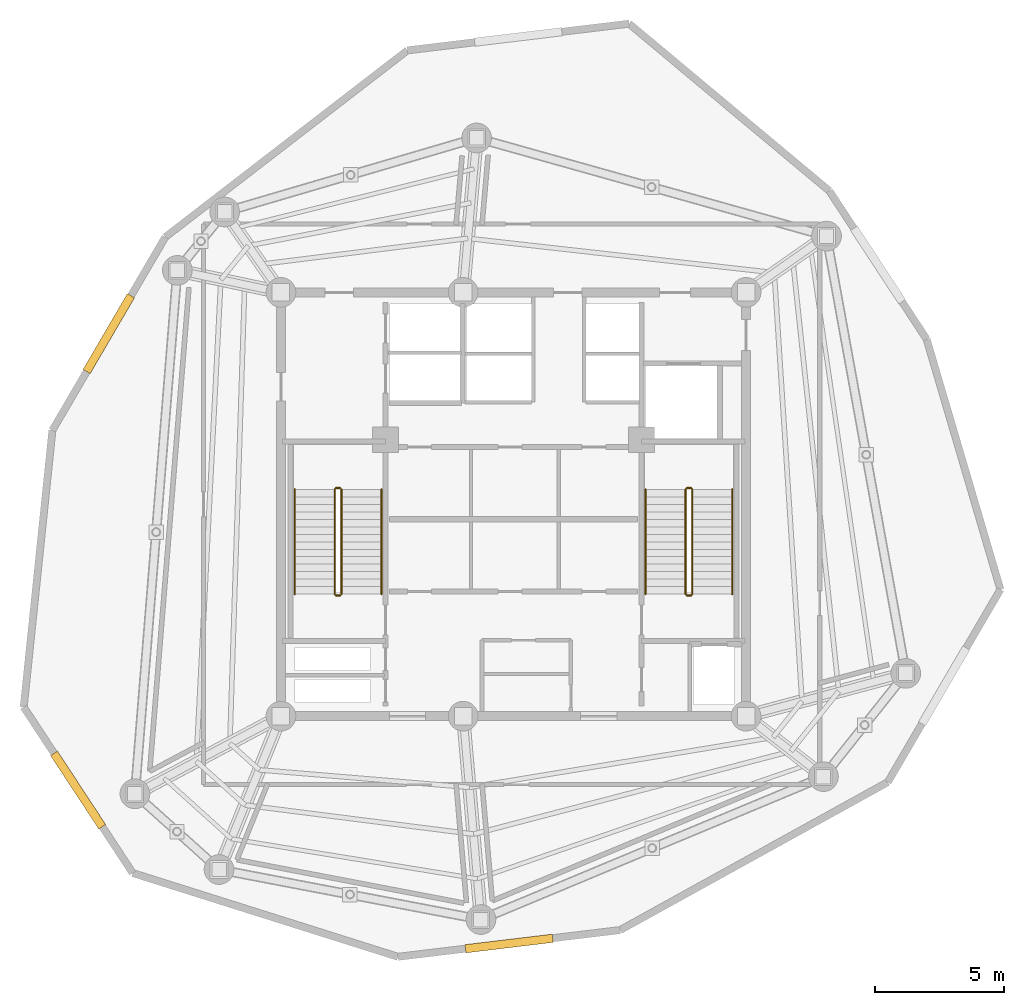
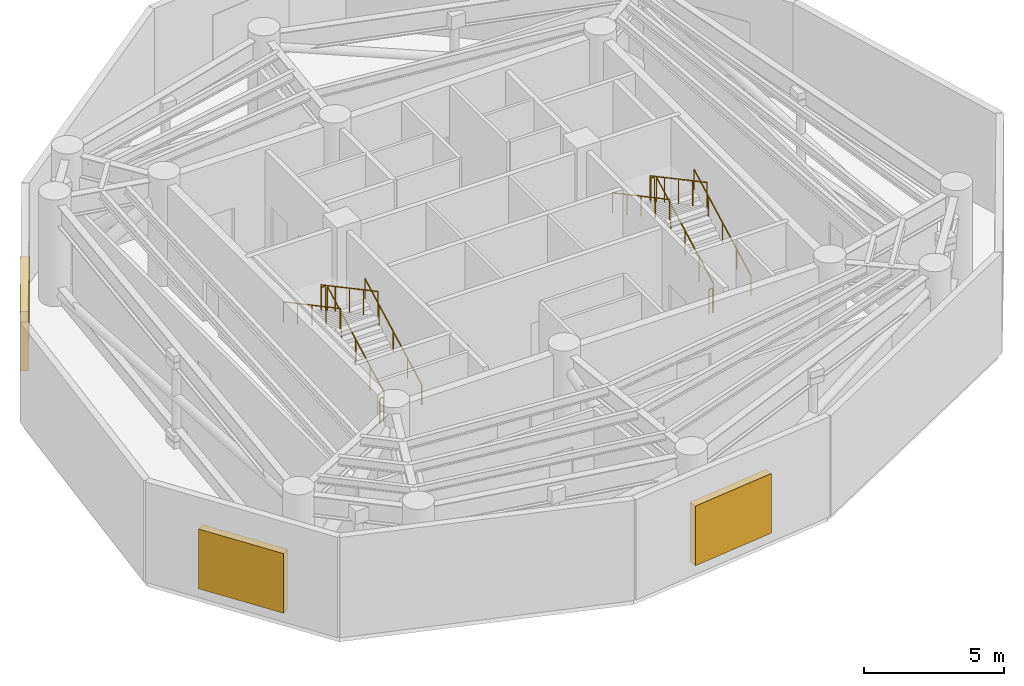
# One storey, part 7 of 8: 12 railings, 3 shading devices.
"""IFC4 building model written with IfcOpenShell, lengths in metres."""

import ifcopenshell
import ifcopenshell.guid

model = None  # the IFC model being written
_history = None  # IfcOwnerHistory: only IFC2X3 demands one
_inside = {}  # id of a spatial element -> (the spatial element, [elements in it])
_under = {}  # id of a project, library or spatial element -> (it, [spatial elements below it])
_declared = {}  # id of a project -> (the project, [libraries it declares])
_typed = {}  # id of a type object -> (the type object, [elements of that type])
_made_of = {}  # id of a material, layer set ... -> (it, [elements and type objects made of it])


def new_model(schema):
    """Start an empty IFC model of exactly this schema.

    Asked for "IFC4X3", IfcOpenShell would pick the latest addendum, in which some entities
    have other attributes; the version numbers below select the first issue.
    IFC2X3 requires an IfcOwnerHistory on every rooted entity: one is made here for all.
    """
    global model, _history
    if schema == "IFC4X3":
        model = ifcopenshell.file(schema_version=(4, 3, 0, 0))
    else:
        model = ifcopenshell.file(schema=schema)
    _inside.clear()
    _under.clear()
    _declared.clear()
    _typed.clear()
    _made_of.clear()
    _history = None
    if model.schema == "IFC2X3":
        org = make("IfcOrganization", Name="unknown")
        user = make(
            "IfcPersonAndOrganization",
            ThePerson=make("IfcPerson", FamilyName="unknown"),
            TheOrganization=org,
        )
        app = make(
            "IfcApplication",
            ApplicationDeveloper=org,
            Version="unknown",
            ApplicationFullName="unknown",
            ApplicationIdentifier="unknown",
        )
        _history = make(
            "IfcOwnerHistory",
            OwningUser=user,
            OwningApplication=app,
            ChangeAction="ADDED",
            CreationDate=0,
        )
    return model


def make(cls, **values):
    """One entity of the class cls with the attributes given. An attribute that is None is left unset."""
    return model.create_entity(
        cls, **{name: value for name, value in values.items() if value is not None}
    )


def rooted(cls, **values):
    """An entity with a GlobalId (a new one), such as an element, a storey or a relation."""
    return make(cls, GlobalId=ifcopenshell.guid.new(), OwnerHistory=_history, **values)


def si_unit(unit_type, name, prefix=None):
    """IfcSIUnit, for example si_unit("LENGTHUNIT", "METRE", prefix="MILLI")."""
    return make("IfcSIUnit", UnitType=unit_type, Prefix=prefix, Name=name)


def assignment(units):
    """IfcUnitAssignment: the units of a project."""
    return None if units is None else make("IfcUnitAssignment", Units=units)


def point(xyz):
    """IfcCartesianPoint."""
    return None if xyz is None else make("IfcCartesianPoint", Coordinates=xyz)


def direction(xyz):
    """IfcDirection."""
    return None if xyz is None else make("IfcDirection", DirectionRatios=xyz)


def frame(location, z_axis=None, x_axis=None):
    """IfcAxis2Placement3D, a coordinate frame: its origin and axes. An axis left out is left unset."""
    return make(
        "IfcAxis2Placement3D",
        Location=point(location),
        Axis=direction(z_axis),
        RefDirection=direction(x_axis),
    )


def frame_2d(location, x_axis=None):
    """IfcAxis2Placement2D, a coordinate frame in the plane: its origin and x axis."""
    return make(
        "IfcAxis2Placement2D", Location=point(location), RefDirection=direction(x_axis)
    )


def origin():
    """The frame at (0, 0, 0) with its axes left unset."""
    return frame((0.0, 0.0, 0.0))


def origin_with_axes():
    """The frame at (0, 0, 0) with the z axis (0, 0, 1) and the x axis (1, 0, 0) written out."""
    return frame((0.0, 0.0, 0.0), z_axis=(0.0, 0.0, 1.0), x_axis=(1.0, 0.0, 0.0))


def origin_2d():
    """The frame at (0, 0) in the plane with its x axis left unset."""
    return frame_2d((0.0, 0.0))


def place(relative_to, where):
    """IfcLocalPlacement: puts the frame where relative to a parent placement (None: the world)."""
    return make(
        "IfcLocalPlacement", PlacementRelTo=relative_to, RelativePlacement=where
    )


def context(
    kind, dimensions, precision=None, world=None, true_north=None, identifier=None
):
    """IfcGeometricRepresentationContext, for example the 3D "Model" context."""
    return make(
        "IfcGeometricRepresentationContext",
        ContextIdentifier=identifier,
        ContextType=kind,
        CoordinateSpaceDimension=dimensions,
        Precision=precision,
        WorldCoordinateSystem=world,
        TrueNorth=true_north,
    )


def subcontext(parent, identifier, kind, view, scale=None):
    """IfcGeometricRepresentationSubContext, for example "Body" below "Model"."""
    return make(
        "IfcGeometricRepresentationSubContext",
        ContextIdentifier=identifier,
        ContextType=kind,
        ParentContext=parent,
        TargetScale=scale,
        TargetView=view,
    )


def project(units=None, contexts=None):
    """IfcProject with its units and contexts."""
    return rooted(
        "IfcProject",
        Name="project",
        RepresentationContexts=contexts,
        UnitsInContext=assignment(units),
    )


def spatial(cls, under=None, at=None, **own):
    """A site, building, storey or space (cls), placed at a placement, below another one or the project."""
    s = rooted(cls, ObjectPlacement=at, **own)
    if under is not None:
        _under.setdefault(under.id(), (under, []))[1].append(s)
    return s


def profile(cls, at=None, kind="AREA", **sizes):
    """A parametric profile (cls). Its sizes go by their IFC names, for example OverallWidth=200.0."""
    return make(cls, ProfileType=kind, Position=at, **sizes)


def rectangle(**sizes):
    """IfcRectangleProfileDef."""
    return profile("IfcRectangleProfileDef", **sizes)


def circle(**sizes):
    """IfcCircleProfileDef."""
    return profile("IfcCircleProfileDef", **sizes)


def extrude(swept, where, along, depth):
    """IfcExtrudedAreaSolid: the profile swept, set in the frame where, extruded along a direction by depth."""
    return make(
        "IfcExtrudedAreaSolid",
        SweptArea=swept,
        Position=where,
        ExtrudedDirection=direction(along),
        Depth=depth,
    )


def shape(context_of_items, identifier, shape_type, items):
    """IfcShapeRepresentation: the items that make up one representation, for example the "Body"."""
    return make(
        "IfcShapeRepresentation",
        ContextOfItems=context_of_items,
        RepresentationIdentifier=identifier,
        RepresentationType=shape_type,
        Items=items,
    )


def source(mapping_origin, context_of_items, identifier, shape_type, items):
    """IfcRepresentationMap: a shape defined once, which mapped items show again and again."""
    return make(
        "IfcRepresentationMap",
        MappingOrigin=mapping_origin,
        MappedRepresentation=shape(context_of_items, identifier, shape_type, items),
    )


def transform(
    local_origin,
    x_axis=None,
    y_axis=None,
    z_axis=None,
    scale=None,
    scale2=None,
    scale3=None,
    uniform=True,
):
    """IfcCartesianTransformationOperator3D, or its non-uniform kind. x_axis, y_axis, z_axis: its Axis1, 2, 3."""
    if uniform:
        return make(
            "IfcCartesianTransformationOperator3D",
            Axis1=direction(x_axis),
            Axis2=direction(y_axis),
            LocalOrigin=point(local_origin),
            Scale=scale,
            Axis3=direction(z_axis),
        )
    return make(
        "IfcCartesianTransformationOperator3DnonUniform",
        Axis1=direction(x_axis),
        Axis2=direction(y_axis),
        LocalOrigin=point(local_origin),
        Scale=scale,
        Axis3=direction(z_axis),
        Scale2=scale2,
        Scale3=scale3,
    )


def mapped(mapping_source, mapping_target):
    """IfcMappedItem: shows the shape of a source again, moved by a transform."""
    return make(
        "IfcMappedItem", MappingSource=mapping_source, MappingTarget=mapping_target
    )


def material(Name=None, Category=None):
    """IfcMaterial."""
    return make("IfcMaterial", Name=Name, Category=Category)


def layer(
    of_material, thickness, ventilated=None, Name=None, Category=None, Priority=None
):
    """IfcMaterialLayer: one layer of a wall or slab, of a material (None: an air gap)."""
    return make(
        "IfcMaterialLayer",
        Material=of_material,
        LayerThickness=thickness,
        IsVentilated=ventilated,
        Name=Name,
        Category=Category,
        Priority=Priority,
    )


def layer_set(layers, Name=None):
    """IfcMaterialLayerSet."""
    return make("IfcMaterialLayerSet", MaterialLayers=layers, LayerSetName=Name)


def made_of(thing, what):
    """Note that an element or type object is made of a material, layer set ...; save() writes the relation."""
    if what is not None:
        _made_of.setdefault(what.id(), (what, []))[1].append(thing)
    return thing


def type_object(cls, material=None, **own):
    """A type object (cls), such as IfcWallType, which elements share."""
    return made_of(rooted(cls, **own), material)


def element(
    cls,
    number,
    at=None,
    inside=None,
    cuts=None,
    type_object=None,
    material=None,
    context=None,
    identifier="Body",
    shape_type=None,
    held_by="IfcProductDefinitionShape",
    body=None,
    shapes=None,
    **own,
):
    """One element of the class cls, such as IfcWall. Its Tag is "e" and its number.

    at: its placement. inside: the storey or other place that contains it. cuts: it is an
    opening in that element (IfcRelVoidsElement). A single representation is given by context,
    identifier, shape_type and body (its items); several are given by shapes. held_by: the class
    of the entity that holds the representations. save() writes the other relations.
    """
    e = rooted(cls, Tag="e%d" % number, ObjectPlacement=at, **own)
    if body is not None:
        shapes = [shape(context, identifier, shape_type, body)]
    if shapes is not None:
        e.Representation = make(held_by, Representations=shapes)
    if inside is not None:
        _inside.setdefault(inside.id(), (inside, []))[1].append(e)
    if cuts is not None:
        rooted(
            "IfcRelVoidsElement", RelatingBuildingElement=cuts, RelatedOpeningElement=e
        )
    if type_object is not None:
        _typed.setdefault(type_object.id(), (type_object, []))[1].append(e)
    return made_of(e, material)


def aggregate(whole, parts):
    """IfcRelAggregates: a whole, such as a stair, and the parts it consists of."""
    return rooted("IfcRelAggregates", RelatingObject=whole, RelatedObjects=parts)


def save(model, path):
    """Write the relations noted so far, then the file.

    IfcRelAggregates (storeys below a building ...), IfcRelContainedInSpatialStructure (elements
    in a storey), IfcRelDefinesByType, IfcRelAssociatesMaterial and IfcRelDeclares: one each for
    every whole, place, type object, material and project.
    """
    for whole, parts in _under.values():
        aggregate(whole, parts)
    for where, things in _inside.values():
        rooted(
            "IfcRelContainedInSpatialStructure",
            RelatedElements=things,
            RelatingStructure=where,
        )
    for kind, things in _typed.values():
        rooted("IfcRelDefinesByType", RelatedObjects=things, RelatingType=kind)
    for what, things in _made_of.values():
        rooted("IfcRelAssociatesMaterial", RelatedObjects=things, RelatingMaterial=what)
    for by, libraries in _declared.values():
        rooted("IfcRelDeclares", RelatingContext=by, RelatedDefinitions=libraries)
    model.write(path)


model = new_model("IFC4")

# Units and contexts
model_context = context("Model", 3, precision=1e-05, world=origin(), true_north=direction((0.0, 1.0)))
body_context = subcontext(model_context, "Body", "Model", "MODEL_VIEW")
ifc_project = project(units=[si_unit("LENGTHUNIT", "METRE"), si_unit("AREAUNIT", "SQUARE_METRE"), si_unit("VOLUMEUNIT", "CUBIC_METRE"), si_unit("PLANEANGLEUNIT", "RADIAN"), si_unit("MASSUNIT", "GRAM", prefix="KILO")], contexts=[model_context])

# Site, building, storey
site_placement = place(None, origin())
site = spatial("IfcSite", under=ifc_project, at=site_placement, CompositionType="ELEMENT")
building_placement = place(site_placement, origin())
building = spatial("IfcBuilding", under=site, at=building_placement, Name="Karkom Vertical University and Central Library", CompositionType="ELEMENT")
storey_placement = place(building_placement, frame((0.0, 0.0, 268.75)))
storey = spatial("IfcBuildingStorey", under=building, at=storey_placement, Name="P80", CompositionType="ELEMENT", Elevation=268.75)

# Railings
ifc_material_1 = material(Name="Painted galvanised steel balustrade", Category="steel")
ifc_layer_1 = layer(ifc_material_1, 0.06005859375)
ifc_layer_set_1 = layer_set([ifc_layer_1], Name="Painted galvanised steel balustrade")
railing_type_1 = type_object("IfcRailingType", Name="INT-RL-GUARD1100", PredefinedType="GUARDRAIL", material=ifc_layer_set_1)
railing_1_placement = place(storey_placement, frame((21.840087890625, 23.02001953125, 0.155029296875)))
element("IfcRailing", 1, at=railing_1_placement, inside=storey, type_object=railing_type_1, Name="Plant Level 80 ST-1 stair guard 1", PredefinedType="GUARDRAIL", context=body_context, shape_type="SweptSolid", body=[
    extrude(circle(Radius=0.02392578125, at=origin_2d()), frame((0.0, 0.0, 1.076171875), z_axis=(0.0, 0.881941551654, 0.471358779982), x_axis=(-1.0, 0.0, 0.0)), (0.0, 0.0, 1.0), 4.603515625),
    extrude(circle(Radius=0.02099609375, at=origin_2d()), origin(), (0.0, 0.0, 1.0), 1.052001953125),
    extrude(circle(Radius=0.02099609375, at=origin_2d()), frame((0.0, 1.01513671875, 0.54248046875)), (0.0, 0.0, 1.0), 1.052001953125),
    extrude(circle(Radius=0.02099609375, at=origin_2d()), frame((0.0, 2.030029296875, 1.0849609375)), (0.0, 0.0, 1.0), 1.052001953125),
    extrude(circle(Radius=0.02099609375, at=origin_2d()), frame((0.0, 3.044921875, 1.62744140625)), (0.0, 0.0, 1.0), 1.052001953125),
    extrude(circle(Radius=0.02099609375, at=origin_2d()), frame((0.0, 4.06005859375, 2.169921875)), (0.0, 0.0, 1.0), 1.052001953125),
])
railing_2_placement = place(storey_placement, frame((21.7900390625, 27.1298828125, 2.324951171875)))
element("IfcRailing", 2, at=railing_2_placement, inside=storey, type_object=railing_type_1, Name="Plant Level 80 ST-1 stair guard 2", PredefinedType="GUARDRAIL", context=body_context, shape_type="SweptSolid", body=[
    extrude(circle(Radius=0.02392578125, at=origin_2d()), frame((0.0, 0.0, 1.076171875), z_axis=(-1.0, 0.0, 0.0), x_axis=(0.0, -1.0, 0.0)), (0.0, 0.0, 1.0), 0.16015625),
    extrude(circle(Radius=0.02099609375, at=origin_2d()), origin(), (0.0, 0.0, 1.0), 1.052001953125),
    extrude(circle(Radius=0.02099609375, at=origin_2d()), frame((-0.16015625, 0.0, 0.0)), (0.0, 0.0, 1.0), 1.052001953125),
])
railing_3_placement = place(storey_placement, frame((21.580078125, 27.080078125, 2.47998046875)))
element("IfcRailing", 3, at=railing_3_placement, inside=storey, type_object=railing_type_1, Name="Plant Level 80 ST-1 stair guard 3", PredefinedType="GUARDRAIL", context=body_context, shape_type="SweptSolid", body=[
    extrude(circle(Radius=0.02392578125, at=origin_2d()), frame((0.0, 0.0, 1.076171875), z_axis=(0.0, -0.881941551654, 0.471358779982), x_axis=(1.0, 0.0, 0.0)), (0.0, 0.0, 1.0), 4.603515625),
    extrude(circle(Radius=0.02099609375, at=origin_2d()), origin(), (0.0, 0.0, 1.0), 1.052001953125),
    extrude(circle(Radius=0.02099609375, at=origin_2d()), frame((0.0, -1.01513671875, 0.54248046875)), (0.0, 0.0, 1.0), 1.052001953125),
    extrude(circle(Radius=0.02099609375, at=origin_2d()), frame((0.0, -2.030029296875, 1.0849609375)), (0.0, 0.0, 1.0), 1.052001953125),
    extrude(circle(Radius=0.02099609375, at=origin_2d()), frame((0.0, -3.044921875, 1.62744140625)), (0.0, 0.0, 1.0), 1.052001953125),
    extrude(circle(Radius=0.02099609375, at=origin_2d()), frame((0.0, -4.06005859375, 2.169921875)), (0.0, 0.0, 1.0), 1.052001953125),
])
railing_4_placement = place(storey_placement, frame((21.7900390625, 22.969970703125, 0.0)))
element("IfcRailing", 4, at=railing_4_placement, inside=storey, type_object=railing_type_1, Name="Plant Level 80 ST-1 stair guard 4", PredefinedType="GUARDRAIL", context=body_context, shape_type="SweptSolid", body=[
    extrude(circle(Radius=0.02392578125, at=origin_2d()), frame((0.0, 0.0, 1.076171875), z_axis=(-1.0, 0.0, 0.0), x_axis=(0.0, -1.0, 0.0)), (0.0, 0.0, 1.0), 0.16015625),
    extrude(circle(Radius=0.02099609375, at=origin_2d()), origin(), (0.0, 0.0, 1.0), 1.052001953125),
    extrude(circle(Radius=0.02099609375, at=origin_2d()), frame((-0.16015625, 0.0, 0.0)), (0.0, 0.0, 1.0), 1.052001953125),
])
railing_5_placement = place(storey_placement, frame((35.419921875, 23.02001953125, 0.155029296875)))
element("IfcRailing", 5, at=railing_5_placement, inside=storey, type_object=railing_type_1, Name="Plant Level 80 ST-2 stair guard 1", PredefinedType="GUARDRAIL", context=body_context, shape_type="SweptSolid", body=[
    extrude(circle(Radius=0.02392578125, at=origin_2d()), frame((0.0, 0.0, 1.076171875), z_axis=(0.0, 0.881941551654, 0.471358779982), x_axis=(-1.0, 0.0, 0.0)), (0.0, 0.0, 1.0), 4.603515625),
    extrude(circle(Radius=0.02099609375, at=origin_2d()), origin(), (0.0, 0.0, 1.0), 1.052001953125),
    extrude(circle(Radius=0.02099609375, at=origin_2d()), frame((0.0, 1.01513671875, 0.54248046875)), (0.0, 0.0, 1.0), 1.052001953125),
    extrude(circle(Radius=0.02099609375, at=origin_2d()), frame((0.0, 2.030029296875, 1.0849609375)), (0.0, 0.0, 1.0), 1.052001953125),
    extrude(circle(Radius=0.02099609375, at=origin_2d()), frame((0.0, 3.044921875, 1.62744140625)), (0.0, 0.0, 1.0), 1.052001953125),
    extrude(circle(Radius=0.02099609375, at=origin_2d()), frame((0.0, 4.06005859375, 2.169921875)), (0.0, 0.0, 1.0), 1.052001953125),
])
railing_6_placement = place(storey_placement, frame((35.3701171875, 27.1298828125, 2.324951171875)))
element("IfcRailing", 6, at=railing_6_placement, inside=storey, type_object=railing_type_1, Name="Plant Level 80 ST-2 stair guard 2", PredefinedType="GUARDRAIL", context=body_context, shape_type="SweptSolid", body=[
    extrude(circle(Radius=0.02392578125, at=origin_2d()), frame((0.0, 0.0, 1.076171875), z_axis=(-1.0, 0.0, 0.0), x_axis=(0.0, -1.0, 0.0)), (0.0, 0.0, 1.0), 0.16015625),
    extrude(circle(Radius=0.02099609375, at=origin_2d()), origin(), (0.0, 0.0, 1.0), 1.052001953125),
    extrude(circle(Radius=0.02099609375, at=origin_2d()), frame((-0.16015625, 0.0, 0.0)), (0.0, 0.0, 1.0), 1.052001953125),
])
railing_7_placement = place(storey_placement, frame((35.159912109375, 27.080078125, 2.47998046875)))
element("IfcRailing", 7, at=railing_7_placement, inside=storey, type_object=railing_type_1, Name="Plant Level 80 ST-2 stair guard 3", PredefinedType="GUARDRAIL", context=body_context, shape_type="SweptSolid", body=[
    extrude(circle(Radius=0.02392578125, at=origin_2d()), frame((0.0, 0.0, 1.076171875), z_axis=(0.0, -0.881941551654, 0.471358779982), x_axis=(1.0, 0.0, 0.0)), (0.0, 0.0, 1.0), 4.603515625),
    extrude(circle(Radius=0.02099609375, at=origin_2d()), origin(), (0.0, 0.0, 1.0), 1.052001953125),
    extrude(circle(Radius=0.02099609375, at=origin_2d()), frame((0.0, -1.01513671875, 0.54248046875)), (0.0, 0.0, 1.0), 1.052001953125),
    extrude(circle(Radius=0.02099609375, at=origin_2d()), frame((0.0, -2.030029296875, 1.0849609375)), (0.0, 0.0, 1.0), 1.052001953125),
    extrude(circle(Radius=0.02099609375, at=origin_2d()), frame((0.0, -3.044921875, 1.62744140625)), (0.0, 0.0, 1.0), 1.052001953125),
    extrude(circle(Radius=0.02099609375, at=origin_2d()), frame((0.0, -4.06005859375, 2.169921875)), (0.0, 0.0, 1.0), 1.052001953125),
])
railing_8_placement = place(storey_placement, frame((35.3701171875, 22.969970703125, 0.0)))
element("IfcRailing", 8, at=railing_8_placement, inside=storey, type_object=railing_type_1, Name="Plant Level 80 ST-2 stair guard 4", PredefinedType="GUARDRAIL", context=body_context, shape_type="SweptSolid", body=[
    extrude(circle(Radius=0.02392578125, at=origin_2d()), frame((0.0, 0.0, 1.076171875), z_axis=(-1.0, 0.0, 0.0), x_axis=(0.0, -1.0, 0.0)), (0.0, 0.0, 1.0), 0.16015625),
    extrude(circle(Radius=0.02099609375, at=origin_2d()), origin(), (0.0, 0.0, 1.0), 1.052001953125),
    extrude(circle(Radius=0.02099609375, at=origin_2d()), frame((-0.16015625, 0.0, 0.0)), (0.0, 0.0, 1.0), 1.052001953125),
])
ifc_material_2 = material(Name="Brushed stainless-steel tubular handrail", Category="steel")
ifc_layer_2 = layer(ifc_material_2, 0.048095703125)
ifc_layer_set_2 = layer_set([ifc_layer_2], Name="Brushed stainless-steel tubular handrail")
railing_type_2 = type_object("IfcRailingType", Name="INT-RL-HAND920", PredefinedType="HANDRAIL", material=ifc_layer_set_2)
railing_9_placement = place(storey_placement, frame((23.389892578125, 23.02001953125, 0.155029296875)))
element("IfcRailing", 9, at=railing_9_placement, inside=storey, type_object=railing_type_2, Name="Plant Level 80 ST-1 stair handrail 1", PredefinedType="HANDRAIL", context=body_context, shape_type="SweptSolid", body=[
    extrude(circle(Radius=0.02392578125, at=origin_2d()), frame((0.0, 0.0, 0.8759765625), z_axis=(0.0, 0.881941551654, 0.471358779982), x_axis=(-1.0, 0.0, 0.0)), (0.0, 0.0, 1.0), 4.603515625),
    extrude(circle(Radius=0.02099609375, at=origin_2d()), origin(), (0.0, 0.0, 1.0), 0.851806640625),
    extrude(circle(Radius=0.02099609375, at=origin_2d()), frame((0.0, 1.01513671875, 0.54248046875)), (0.0, 0.0, 1.0), 0.851806640625),
    extrude(circle(Radius=0.02099609375, at=origin_2d()), frame((0.0, 2.030029296875, 1.0849609375)), (0.0, 0.0, 1.0), 0.851806640625),
    extrude(circle(Radius=0.02099609375, at=origin_2d()), frame((0.0, 3.044921875, 1.62744140625)), (0.0, 0.0, 1.0), 0.851806640625),
    extrude(circle(Radius=0.02099609375, at=origin_2d()), frame((0.0, 4.06005859375, 2.169921875)), (0.0, 0.0, 1.0), 0.851806640625),
])
railing_10_placement = place(storey_placement, frame((20.030029296875, 27.080078125, 2.47998046875)))
element("IfcRailing", 10, at=railing_10_placement, inside=storey, type_object=railing_type_2, Name="Plant Level 80 ST-1 stair handrail 2", PredefinedType="HANDRAIL", context=body_context, shape_type="SweptSolid", body=[
    extrude(circle(Radius=0.02392578125, at=origin_2d()), frame((0.0, 0.0, 0.8759765625), z_axis=(0.0, -0.881941551654, 0.471358779982), x_axis=(1.0, 0.0, 0.0)), (0.0, 0.0, 1.0), 4.603515625),
    extrude(circle(Radius=0.02099609375, at=origin_2d()), origin(), (0.0, 0.0, 1.0), 0.851806640625),
    extrude(circle(Radius=0.02099609375, at=origin_2d()), frame((0.0, -1.01513671875, 0.54248046875)), (0.0, 0.0, 1.0), 0.851806640625),
    extrude(circle(Radius=0.02099609375, at=origin_2d()), frame((0.0, -2.030029296875, 1.0849609375)), (0.0, 0.0, 1.0), 0.851806640625),
    extrude(circle(Radius=0.02099609375, at=origin_2d()), frame((0.0, -3.044921875, 1.62744140625)), (0.0, 0.0, 1.0), 0.851806640625),
    extrude(circle(Radius=0.02099609375, at=origin_2d()), frame((0.0, -4.06005859375, 2.169921875)), (0.0, 0.0, 1.0), 0.851806640625),
])
railing_11_placement = place(storey_placement, frame((36.969970703125, 23.02001953125, 0.155029296875)))
element("IfcRailing", 11, at=railing_11_placement, inside=storey, type_object=railing_type_2, Name="Plant Level 80 ST-2 stair handrail 1", PredefinedType="HANDRAIL", context=body_context, shape_type="SweptSolid", body=[
    extrude(circle(Radius=0.02392578125, at=origin_2d()), frame((0.0, 0.0, 0.8759765625), z_axis=(0.0, 0.881941551654, 0.471358779982), x_axis=(-1.0, 0.0, 0.0)), (0.0, 0.0, 1.0), 4.603515625),
    extrude(circle(Radius=0.02099609375, at=origin_2d()), origin(), (0.0, 0.0, 1.0), 0.851806640625),
    extrude(circle(Radius=0.02099609375, at=origin_2d()), frame((0.0, 1.01513671875, 0.54248046875)), (0.0, 0.0, 1.0), 0.851806640625),
    extrude(circle(Radius=0.02099609375, at=origin_2d()), frame((0.0, 2.030029296875, 1.0849609375)), (0.0, 0.0, 1.0), 0.851806640625),
    extrude(circle(Radius=0.02099609375, at=origin_2d()), frame((0.0, 3.044921875, 1.62744140625)), (0.0, 0.0, 1.0), 0.851806640625),
    extrude(circle(Radius=0.02099609375, at=origin_2d()), frame((0.0, 4.06005859375, 2.169921875)), (0.0, 0.0, 1.0), 0.851806640625),
])
railing_12_placement = place(storey_placement, frame((33.610107421875, 27.080078125, 2.47998046875)))
element("IfcRailing", 12, at=railing_12_placement, inside=storey, type_object=railing_type_2, Name="Plant Level 80 ST-2 stair handrail 2", PredefinedType="HANDRAIL", context=body_context, shape_type="SweptSolid", body=[
    extrude(circle(Radius=0.02392578125, at=origin_2d()), frame((0.0, 0.0, 0.8759765625), z_axis=(0.0, -0.881941551654, 0.471358779982), x_axis=(1.0, 0.0, 0.0)), (0.0, 0.0, 1.0), 4.603515625),
    extrude(circle(Radius=0.02099609375, at=origin_2d()), origin(), (0.0, 0.0, 1.0), 0.851806640625),
    extrude(circle(Radius=0.02099609375, at=origin_2d()), frame((0.0, -1.01513671875, 0.54248046875)), (0.0, 0.0, 1.0), 0.851806640625),
    extrude(circle(Radius=0.02099609375, at=origin_2d()), frame((0.0, -2.030029296875, 1.0849609375)), (0.0, 0.0, 1.0), 0.851806640625),
    extrude(circle(Radius=0.02099609375, at=origin_2d()), frame((0.0, -3.044921875, 1.62744140625)), (0.0, 0.0, 1.0), 0.851806640625),
    extrude(circle(Radius=0.02099609375, at=origin_2d()), frame((0.0, -4.06005859375, 2.169921875)), (0.0, 0.0, 1.0), 0.851806640625),
])

# Shading devices
ifc_material_3 = material(Name="Powder-coated aluminium acoustic weather louvre", Category="aluminium")
ifc_layer_3 = layer(ifc_material_3, 0.159912109375)
ifc_layer_set_3 = layer_set([ifc_layer_3], Name="Powder-coated aluminium acoustic weather louvre")
shading_device_type = type_object("IfcShadingDeviceType", Name="ENV-SHD-LOUVRE", PredefinedType="JALOUSIE", material=ifc_layer_set_3)
shared_shape = source(origin_with_axes(), body_context, "Body", "SweptSolid", [
    extrude(rectangle(XDim=3.39990234375, YDim=0.320068359375, at=origin_2d()), origin(), (0.0, 0.0, 1.0), 2.60009765625),
])
for number, where, z_axis, x_axis, name in (
    (13, (11.649658203125, 15.439697265625, 0.39990234375), (0.0, 0.0, 1.0), (0.548731032748, -0.835998955561, 0.0), "Plant Level 80 Mechanical Acoustic Louvre 01"),
    (14, (28.328125, 9.500732421875, 0.39990234375), (0.0, 0.0, 1.0), (0.992840971329, 0.119443734243, 0.0), "Plant Level 80 Mechanical Acoustic Louvre 03"),
    (15, (12.835205078125, 33.104248046875, 0.39990234375), (0.0, 0.0, 1.0), (-0.504527623815, -0.863395550607, 0.0), "Plant Level 80 Mechanical Acoustic Louvre 11"),
):
    element("IfcShadingDevice", number, at=place(storey_placement, frame(where, z_axis=z_axis, x_axis=x_axis)), inside=storey, type_object=shading_device_type, Name=name, PredefinedType="JALOUSIE", context=body_context, shape_type="MappedRepresentation", body=[
        mapped(shared_shape, transform((0.0, 0.0, 0.0), scale=1.0)),
    ])

save(model, "model.ifc")
